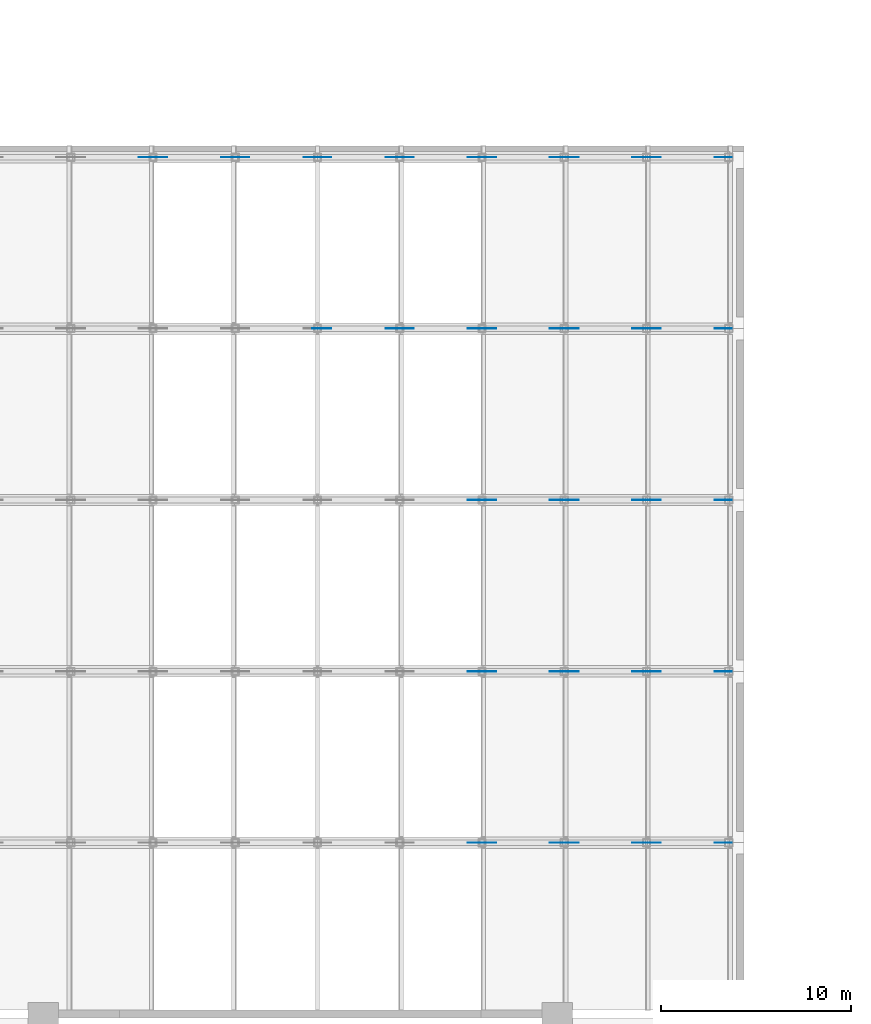
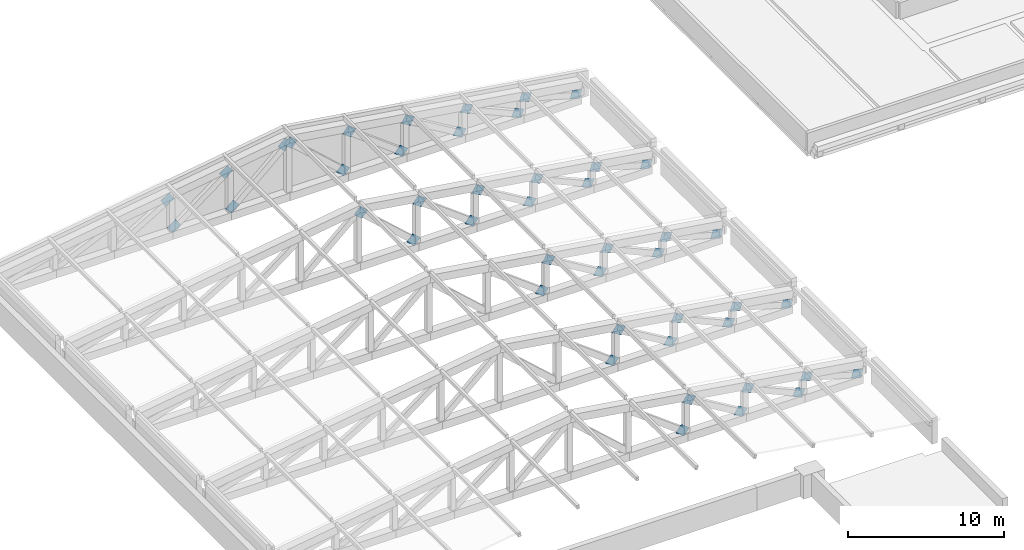
# One storey, part 19 of 32: 46 discrete accessories.
"""IFC4 building model written with IfcOpenShell, lengths in metres."""

from ifc_helpers import new_model, si_unit, direction, frame, origin, place, context, subcontext, project, spatial, polyline, outline, extrude, material, layer, layer_set, type_object, element, save


model = new_model("IFC4")

# Units and contexts
model_context = context("Model", 3, precision=1e-05, world=origin(), true_north=direction((0.0, 1.0)))
body_context = subcontext(model_context, "Body", "Model", "MODEL_VIEW")
ifc_project = project(units=[si_unit("LENGTHUNIT", "METRE"), si_unit("AREAUNIT", "SQUARE_METRE"), si_unit("VOLUMEUNIT", "CUBIC_METRE"), si_unit("PLANEANGLEUNIT", "RADIAN"), si_unit("MASSUNIT", "GRAM", prefix="KILO")], contexts=[model_context])

# Site, building, storey
site_placement = place(None, origin())
site = spatial("IfcSite", under=ifc_project, at=site_placement, CompositionType="ELEMENT")
building_placement = place(site_placement, origin())
building = spatial("IfcBuilding", under=site, at=building_placement, Name="Aravalli Gate Trade Fair Centre", CompositionType="ELEMENT")
storey_placement = place(building_placement, frame((0.0, 0.0, 23.39990234375)))
storey = spatial("IfcBuildingStorey", under=building, at=storey_placement, Name="ROOF LEVEL 1", CompositionType="ELEMENT", Elevation=23.39990234375)

# Discrete accessories
ifc_material = material(Name="Steel E350", Category="steel")
ifc_layer = layer(ifc_material, 0.01611328125)
ifc_layer_set = layer_set([ifc_layer], Name="Steel E350")
discrete_accessory_type = type_object("IfcDiscreteAccessoryType", Name="Gusset plate 675 x 675 x 16", PredefinedType="USERDEFINED", material=ifc_layer_set)
discrete_accessory_1_placement = place(storey_placement, frame((136.29736328125, 72.991943359375, 0.734619140625), z_axis=(0.0, -1.0, 0.0), x_axis=(0.800349107724, 0.0, -0.599534240695)))
element("IfcDiscreteAccessory", 1, at=discrete_accessory_1_placement, inside=storey, type_object=discrete_accessory_type, Name="Gusset plate Roof truss 73 diagonal 7 end A", ObjectType="GUSSET PLATE", PredefinedType="USERDEFINED", context=body_context, shape_type="SweptSolid", body=[
    extrude(outline(polyline([(0.0, 0.0), (0.7549805966467078, 0.0), (0.7550317553254685, 0.6750977408361967), (5.115867876076541e-05, 0.6750977408361967), (0.0, 0.0)])), origin(), (0.0, 0.0, -1.0), 0.01611328125),
])
discrete_accessory_2_placement = place(storey_placement, frame((140.607421875, 72.991943359375, 0.656005859375), z_axis=(0.0, -1.0, 0.0), x_axis=(0.858859436743, 0.0, -0.512211350829)))
element("IfcDiscreteAccessory", 2, at=discrete_accessory_2_placement, inside=storey, type_object=discrete_accessory_type, Name="Gusset plate Roof truss 73 diagonal 8 end A", ObjectType="GUSSET PLATE", PredefinedType="USERDEFINED", context=body_context, shape_type="SweptSolid", body=[
    extrude(outline(polyline([(0.0, 0.0), (0.7549983993412255, 0.0), (0.7550362937652628, 0.674859271386952), (3.7894424037399066e-05, 0.674859271386952), (0.0, 0.0)])), origin(), (0.0, 0.0, -1.0), 0.01611328125),
])
discrete_accessory_3_placement = place(storey_placement, frame((137.44677734375, 73.008056640625, 2.541015625), z_axis=(0.0, 1.0, 0.0), x_axis=(-0.858859436743, 0.0, 0.512211350829)))
element("IfcDiscreteAccessory", 3, at=discrete_accessory_3_placement, inside=storey, type_object=discrete_accessory_type, Name="Gusset plate Roof truss 73 diagonal 8 end B", ObjectType="GUSSET PLATE", PredefinedType="USERDEFINED", context=body_context, shape_type="SweptSolid", body=[
    extrude(outline(polyline([(0.0, 0.0), (0.7549983993412255, 0.0), (0.7547508224375146, 0.6749843229862753), (-3.7894424037399066e-05, 0.674859271386952), (0.0, 0.0)])), origin(), (0.0, 0.0, -1.0), 0.01611328125),
])
discrete_accessory_4_placement = place(storey_placement, frame((144.926025390625, 72.991943359375, 0.565185546875), z_axis=(0.0, -1.0, 0.0), x_axis=(0.914224481419, 0.0, -0.405208091694)))
element("IfcDiscreteAccessory", 4, at=discrete_accessory_4_placement, inside=storey, type_object=discrete_accessory_type, Name="Gusset plate Roof truss 73 diagonal 9 end A", ObjectType="GUSSET PLATE", PredefinedType="USERDEFINED", context=body_context, shape_type="SweptSolid", body=[
    extrude(outline(polyline([(0.0, 0.0), (0.7549410028964576, 5.551115123125783e-17), (0.755157017535323, 0.6749227381187997), (0.0003402862183883304, 0.6752448652118448), (0.0, 0.0)])), origin(), (0.0, 0.0, -1.0), 0.01611328125),
])
discrete_accessory_5_placement = place(storey_placement, frame((141.840087890625, 73.008056640625, 1.934326171875), z_axis=(0.0, 1.0, 0.0), x_axis=(-0.914104656851, 0.0, 0.405478330276)))
element("IfcDiscreteAccessory", 5, at=discrete_accessory_5_placement, inside=storey, type_object=discrete_accessory_type, Name="Gusset plate Roof truss 73 diagonal 9 end B", ObjectType="GUSSET PLATE", PredefinedType="USERDEFINED", context=body_context, shape_type="SweptSolid", body=[
    extrude(outline(polyline([(0.0, 0.0), (0.7550399636434889, 0.0), (0.7550234646879928, 0.674922772485776), (-0.00014067530475764256, 0.6752449363009927), (0.0, 0.0)])), origin(), (0.0, 0.0, -1.0), 0.01611328125),
])
discrete_accessory_6_placement = place(storey_placement, frame((149.257568359375, 72.991943359375, 0.464599609375), z_axis=(0.0, -1.0, 0.0), x_axis=(0.960195296604, 0.0, -0.27932954083)))
element("IfcDiscreteAccessory", 6, at=discrete_accessory_6_placement, inside=storey, type_object=discrete_accessory_type, Name="Gusset plate Roof truss 73 diagonal 10 end A", ObjectType="GUSSET PLATE", PredefinedType="USERDEFINED", context=body_context, shape_type="SweptSolid", body=[
    extrude(outline(polyline([(0.0, 0.0), (0.755156434128382, 0.0), (0.7550711895175329, 0.6750392866219126), (-8.52446108490501e-05, 0.6750392866219127), (0.0, 0.0)])), origin(), (0.0, 0.0, -1.0), 0.01611328125),
])
discrete_accessory_7_placement = place(storey_placement, frame((146.23388671875, 73.008056640625, 1.343994140625), z_axis=(0.0, 1.0, 0.0), x_axis=(-0.960195296604, 0.0, 0.27932954083)))
element("IfcDiscreteAccessory", 7, at=discrete_accessory_7_placement, inside=storey, type_object=discrete_accessory_type, Name="Gusset plate Roof truss 73 diagonal 10 end B", ObjectType="GUSSET PLATE", PredefinedType="USERDEFINED", context=body_context, shape_type="SweptSolid", body=[
    extrude(outline(polyline([(0.0, 0.0), (0.755156434128382, 0.0), (0.7549390603707169, 0.6748730596307569), (8.52446108490501e-05, 0.6750392866219127), (0.0, 0.0)])), origin(), (0.0, 0.0, -1.0), 0.01611328125),
])
discrete_accessory_8_placement = place(storey_placement, frame((136.29736328125, 81.991943359375, 0.734619140625), z_axis=(0.0, -1.0, 0.0), x_axis=(0.800349107724, 0.0, -0.599534240695)))
element("IfcDiscreteAccessory", 8, at=discrete_accessory_8_placement, inside=storey, type_object=discrete_accessory_type, Name="Gusset plate Roof truss 82 diagonal 7 end A", ObjectType="GUSSET PLATE", PredefinedType="USERDEFINED", context=body_context, shape_type="SweptSolid", body=[
    extrude(outline(polyline([(0.0, 0.0), (0.7549805966467078, 0.0), (0.7550317553254685, 0.6750977408361967), (5.115867876076541e-05, 0.6750977408361967), (0.0, 0.0)])), origin(), (0.0, 0.0, -1.0), 0.01611328125),
])
discrete_accessory_9_placement = place(storey_placement, frame((140.607421875, 81.991943359375, 0.656005859375), z_axis=(0.0, -1.0, 0.0), x_axis=(0.858859436743, 0.0, -0.512211350829)))
element("IfcDiscreteAccessory", 9, at=discrete_accessory_9_placement, inside=storey, type_object=discrete_accessory_type, Name="Gusset plate Roof truss 82 diagonal 8 end A", ObjectType="GUSSET PLATE", PredefinedType="USERDEFINED", context=body_context, shape_type="SweptSolid", body=[
    extrude(outline(polyline([(0.0, 0.0), (0.7549983993412255, 0.0), (0.7550362937652628, 0.674859271386952), (3.7894424037399066e-05, 0.674859271386952), (0.0, 0.0)])), origin(), (0.0, 0.0, -1.0), 0.01611328125),
])
discrete_accessory_10_placement = place(storey_placement, frame((137.44677734375, 82.008056640625, 2.541015625), z_axis=(0.0, 1.0, 0.0), x_axis=(-0.858859436743, 0.0, 0.512211350829)))
element("IfcDiscreteAccessory", 10, at=discrete_accessory_10_placement, inside=storey, type_object=discrete_accessory_type, Name="Gusset plate Roof truss 82 diagonal 8 end B", ObjectType="GUSSET PLATE", PredefinedType="USERDEFINED", context=body_context, shape_type="SweptSolid", body=[
    extrude(outline(polyline([(0.0, 0.0), (0.7549983993412255, 0.0), (0.7547508224375146, 0.6749843229862753), (-3.7894424037399066e-05, 0.674859271386952), (0.0, 0.0)])), origin(), (0.0, 0.0, -1.0), 0.01611328125),
])
discrete_accessory_11_placement = place(storey_placement, frame((144.926025390625, 81.991943359375, 0.565185546875), z_axis=(0.0, -1.0, 0.0), x_axis=(0.914224481419, 0.0, -0.405208091694)))
element("IfcDiscreteAccessory", 11, at=discrete_accessory_11_placement, inside=storey, type_object=discrete_accessory_type, Name="Gusset plate Roof truss 82 diagonal 9 end A", ObjectType="GUSSET PLATE", PredefinedType="USERDEFINED", context=body_context, shape_type="SweptSolid", body=[
    extrude(outline(polyline([(0.0, 0.0), (0.7549410028964576, 5.551115123125783e-17), (0.755157017535323, 0.6749227381187997), (0.0003402862183883304, 0.6752448652118448), (0.0, 0.0)])), origin(), (0.0, 0.0, -1.0), 0.01611328125),
])
discrete_accessory_12_placement = place(storey_placement, frame((141.840087890625, 82.008056640625, 1.934326171875), z_axis=(0.0, 1.0, 0.0), x_axis=(-0.914104656851, 0.0, 0.405478330276)))
element("IfcDiscreteAccessory", 12, at=discrete_accessory_12_placement, inside=storey, type_object=discrete_accessory_type, Name="Gusset plate Roof truss 82 diagonal 9 end B", ObjectType="GUSSET PLATE", PredefinedType="USERDEFINED", context=body_context, shape_type="SweptSolid", body=[
    extrude(outline(polyline([(0.0, 0.0), (0.7550399636434889, 0.0), (0.7550234646879928, 0.674922772485776), (-0.00014067530475764256, 0.6752449363009927), (0.0, 0.0)])), origin(), (0.0, 0.0, -1.0), 0.01611328125),
])
discrete_accessory_13_placement = place(storey_placement, frame((149.257568359375, 81.991943359375, 0.464599609375), z_axis=(0.0, -1.0, 0.0), x_axis=(0.960195296604, 0.0, -0.27932954083)))
element("IfcDiscreteAccessory", 13, at=discrete_accessory_13_placement, inside=storey, type_object=discrete_accessory_type, Name="Gusset plate Roof truss 82 diagonal 10 end A", ObjectType="GUSSET PLATE", PredefinedType="USERDEFINED", context=body_context, shape_type="SweptSolid", body=[
    extrude(outline(polyline([(0.0, 0.0), (0.755156434128382, 0.0), (0.7550711895175329, 0.6750392866219126), (-8.52446108490501e-05, 0.6750392866219127), (0.0, 0.0)])), origin(), (0.0, 0.0, -1.0), 0.01611328125),
])
discrete_accessory_14_placement = place(storey_placement, frame((146.23388671875, 82.008056640625, 1.343994140625), z_axis=(0.0, 1.0, 0.0), x_axis=(-0.960195296604, 0.0, 0.27932954083)))
element("IfcDiscreteAccessory", 14, at=discrete_accessory_14_placement, inside=storey, type_object=discrete_accessory_type, Name="Gusset plate Roof truss 82 diagonal 10 end B", ObjectType="GUSSET PLATE", PredefinedType="USERDEFINED", context=body_context, shape_type="SweptSolid", body=[
    extrude(outline(polyline([(0.0, 0.0), (0.755156434128382, 0.0), (0.7549390603707169, 0.6748730596307569), (8.52446108490501e-05, 0.6750392866219127), (0.0, 0.0)])), origin(), (0.0, 0.0, -1.0), 0.01611328125),
])
discrete_accessory_15_placement = place(storey_placement, frame((136.29736328125, 90.991943359375, 0.734619140625), z_axis=(0.0, -1.0, 0.0), x_axis=(0.800349107724, 0.0, -0.599534240695)))
element("IfcDiscreteAccessory", 15, at=discrete_accessory_15_placement, inside=storey, type_object=discrete_accessory_type, Name="Gusset plate Roof truss 91 diagonal 7 end A", ObjectType="GUSSET PLATE", PredefinedType="USERDEFINED", context=body_context, shape_type="SweptSolid", body=[
    extrude(outline(polyline([(0.0, 0.0), (0.7549805966467078, 0.0), (0.7550317553254685, 0.6750977408361967), (5.115867876076541e-05, 0.6750977408361967), (0.0, 0.0)])), origin(), (0.0, 0.0, -1.0), 0.01611328125),
])
discrete_accessory_16_placement = place(storey_placement, frame((140.607421875, 90.991943359375, 0.656005859375), z_axis=(0.0, -1.0, 0.0), x_axis=(0.858859436743, 0.0, -0.512211350829)))
element("IfcDiscreteAccessory", 16, at=discrete_accessory_16_placement, inside=storey, type_object=discrete_accessory_type, Name="Gusset plate Roof truss 91 diagonal 8 end A", ObjectType="GUSSET PLATE", PredefinedType="USERDEFINED", context=body_context, shape_type="SweptSolid", body=[
    extrude(outline(polyline([(0.0, 0.0), (0.7549983993412255, 0.0), (0.7550362937652628, 0.674859271386952), (3.7894424037399066e-05, 0.674859271386952), (0.0, 0.0)])), origin(), (0.0, 0.0, -1.0), 0.01611328125),
])
discrete_accessory_17_placement = place(storey_placement, frame((137.44677734375, 91.008056640625, 2.541015625), z_axis=(0.0, 1.0, 0.0), x_axis=(-0.858859436743, 0.0, 0.512211350829)))
element("IfcDiscreteAccessory", 17, at=discrete_accessory_17_placement, inside=storey, type_object=discrete_accessory_type, Name="Gusset plate Roof truss 91 diagonal 8 end B", ObjectType="GUSSET PLATE", PredefinedType="USERDEFINED", context=body_context, shape_type="SweptSolid", body=[
    extrude(outline(polyline([(0.0, 0.0), (0.7549983993412255, 0.0), (0.7547508224375146, 0.6749843229862753), (-3.7894424037399066e-05, 0.674859271386952), (0.0, 0.0)])), origin(), (0.0, 0.0, -1.0), 0.01611328125),
])
discrete_accessory_18_placement = place(storey_placement, frame((144.926025390625, 90.991943359375, 0.565185546875), z_axis=(0.0, -1.0, 0.0), x_axis=(0.914224481419, 0.0, -0.405208091694)))
element("IfcDiscreteAccessory", 18, at=discrete_accessory_18_placement, inside=storey, type_object=discrete_accessory_type, Name="Gusset plate Roof truss 91 diagonal 9 end A", ObjectType="GUSSET PLATE", PredefinedType="USERDEFINED", context=body_context, shape_type="SweptSolid", body=[
    extrude(outline(polyline([(0.0, 0.0), (0.7549410028964576, 5.551115123125783e-17), (0.755157017535323, 0.6749227381187997), (0.0003402862183883304, 0.6752448652118448), (0.0, 0.0)])), origin(), (0.0, 0.0, -1.0), 0.01611328125),
])
discrete_accessory_19_placement = place(storey_placement, frame((141.840087890625, 91.008056640625, 1.934326171875), z_axis=(0.0, 1.0, 0.0), x_axis=(-0.914104656851, 0.0, 0.405478330276)))
element("IfcDiscreteAccessory", 19, at=discrete_accessory_19_placement, inside=storey, type_object=discrete_accessory_type, Name="Gusset plate Roof truss 91 diagonal 9 end B", ObjectType="GUSSET PLATE", PredefinedType="USERDEFINED", context=body_context, shape_type="SweptSolid", body=[
    extrude(outline(polyline([(0.0, 0.0), (0.7550399636434889, 0.0), (0.7550234646879928, 0.674922772485776), (-0.00014067530475764256, 0.6752449363009927), (0.0, 0.0)])), origin(), (0.0, 0.0, -1.0), 0.01611328125),
])
discrete_accessory_20_placement = place(storey_placement, frame((149.257568359375, 90.991943359375, 0.464599609375), z_axis=(0.0, -1.0, 0.0), x_axis=(0.960195296604, 0.0, -0.27932954083)))
element("IfcDiscreteAccessory", 20, at=discrete_accessory_20_placement, inside=storey, type_object=discrete_accessory_type, Name="Gusset plate Roof truss 91 diagonal 10 end A", ObjectType="GUSSET PLATE", PredefinedType="USERDEFINED", context=body_context, shape_type="SweptSolid", body=[
    extrude(outline(polyline([(0.0, 0.0), (0.755156434128382, 0.0), (0.7550711895175329, 0.6750392866219126), (-8.52446108490501e-05, 0.6750392866219127), (0.0, 0.0)])), origin(), (0.0, 0.0, -1.0), 0.01611328125),
])
discrete_accessory_21_placement = place(storey_placement, frame((146.23388671875, 91.008056640625, 1.343994140625), z_axis=(0.0, 1.0, 0.0), x_axis=(-0.960195296604, 0.0, 0.27932954083)))
element("IfcDiscreteAccessory", 21, at=discrete_accessory_21_placement, inside=storey, type_object=discrete_accessory_type, Name="Gusset plate Roof truss 91 diagonal 10 end B", ObjectType="GUSSET PLATE", PredefinedType="USERDEFINED", context=body_context, shape_type="SweptSolid", body=[
    extrude(outline(polyline([(0.0, 0.0), (0.755156434128382, 0.0), (0.7549390603707169, 0.6748730596307569), (8.52446108490501e-05, 0.6750392866219127), (0.0, 0.0)])), origin(), (0.0, 0.0, -1.0), 0.01611328125),
])
discrete_accessory_22_placement = place(storey_placement, frame((131.99267578125, 99.991943359375, 0.801513671875), z_axis=(0.0, -1.0, 0.0), x_axis=(0.742698988636, 0.0, -0.669625426846)))
element("IfcDiscreteAccessory", 22, at=discrete_accessory_22_placement, inside=storey, type_object=discrete_accessory_type, Name="Gusset plate Roof truss 100 diagonal 6 end A", ObjectType="GUSSET PLATE", PredefinedType="USERDEFINED", context=body_context, shape_type="SweptSolid", body=[
    extrude(outline(polyline([(0.0, 0.0), (0.7550717372791841, 0.0), (0.7552517972496745, 0.6750261997531783), (0.00018005997049042044, 0.6750261997531783), (0.0, 0.0)])), origin(), (0.0, 0.0, -1.0), 0.01611328125),
])
discrete_accessory_23_placement = place(storey_placement, frame((128.67529296875, 100.008056640625, 3.7939453125), z_axis=(0.0, 1.0, 0.0), x_axis=(-0.742698988636, 0.0, 0.669625426846)))
element("IfcDiscreteAccessory", 23, at=discrete_accessory_23_placement, inside=storey, type_object=discrete_accessory_type, Name="Gusset plate Roof truss 100 diagonal 6 end B", ObjectType="GUSSET PLATE", PredefinedType="USERDEFINED", context=body_context, shape_type="SweptSolid", body=[
    extrude(outline(polyline([(0.0, 0.0), (0.7550717372791841, 0.0), (0.7548916773086937, 0.6750261997531783), (1.2630247820388796e-06, 0.6748627169829523), (0.0, 0.0)])), origin(), (0.0, 0.0, -1.0), 0.01611328125),
])
discrete_accessory_24_placement = place(storey_placement, frame((136.29736328125, 99.991943359375, 0.734619140625), z_axis=(0.0, -1.0, 0.0), x_axis=(0.800349107724, 0.0, -0.599534240695)))
element("IfcDiscreteAccessory", 24, at=discrete_accessory_24_placement, inside=storey, type_object=discrete_accessory_type, Name="Gusset plate Roof truss 100 diagonal 7 end A", ObjectType="GUSSET PLATE", PredefinedType="USERDEFINED", context=body_context, shape_type="SweptSolid", body=[
    extrude(outline(polyline([(0.0, 0.0), (0.7549805966467078, 0.0), (0.7550317553254685, 0.6750977408361967), (5.115867876076541e-05, 0.6750977408361967), (0.0, 0.0)])), origin(), (0.0, 0.0, -1.0), 0.01611328125),
])
discrete_accessory_25_placement = place(storey_placement, frame((133.057861328125, 100.008056640625, 3.161865234375), z_axis=(0.0, 1.0, 0.0), x_axis=(-0.800349107724, 0.0, 0.599534240695)))
element("IfcDiscreteAccessory", 25, at=discrete_accessory_25_placement, inside=storey, type_object=discrete_accessory_type, Name="Gusset plate Roof truss 100 diagonal 7 end B", ObjectType="GUSSET PLATE", PredefinedType="USERDEFINED", context=body_context, shape_type="SweptSolid", body=[
    extrude(outline(polyline([(0.0, 0.0), (0.7549805966467078, 0.0), (0.754929437967947, 0.6750977408361967), (-0.00019752934299294145, 0.6749023431048188), (0.0, 0.0)])), origin(), (0.0, 0.0, -1.0), 0.01611328125),
])
discrete_accessory_26_placement = place(storey_placement, frame((140.607421875, 99.991943359375, 0.656005859375), z_axis=(0.0, -1.0, 0.0), x_axis=(0.858859436743, 0.0, -0.512211350829)))
element("IfcDiscreteAccessory", 26, at=discrete_accessory_26_placement, inside=storey, type_object=discrete_accessory_type, Name="Gusset plate Roof truss 100 diagonal 8 end A", ObjectType="GUSSET PLATE", PredefinedType="USERDEFINED", context=body_context, shape_type="SweptSolid", body=[
    extrude(outline(polyline([(0.0, 0.0), (0.7549983993412255, 0.0), (0.7550362937652628, 0.674859271386952), (3.7894424037399066e-05, 0.674859271386952), (0.0, 0.0)])), origin(), (0.0, 0.0, -1.0), 0.01611328125),
])
discrete_accessory_27_placement = place(storey_placement, frame((137.44677734375, 100.008056640625, 2.541015625), z_axis=(0.0, 1.0, 0.0), x_axis=(-0.858859436743, 0.0, 0.512211350829)))
element("IfcDiscreteAccessory", 27, at=discrete_accessory_27_placement, inside=storey, type_object=discrete_accessory_type, Name="Gusset plate Roof truss 100 diagonal 8 end B", ObjectType="GUSSET PLATE", PredefinedType="USERDEFINED", context=body_context, shape_type="SweptSolid", body=[
    extrude(outline(polyline([(0.0, 0.0), (0.7549983993412255, 0.0), (0.7547508224375146, 0.6749843229862753), (-3.7894424037399066e-05, 0.674859271386952), (0.0, 0.0)])), origin(), (0.0, 0.0, -1.0), 0.01611328125),
])
discrete_accessory_28_placement = place(storey_placement, frame((144.926025390625, 99.991943359375, 0.565185546875), z_axis=(0.0, -1.0, 0.0), x_axis=(0.914224481419, 0.0, -0.405208091694)))
element("IfcDiscreteAccessory", 28, at=discrete_accessory_28_placement, inside=storey, type_object=discrete_accessory_type, Name="Gusset plate Roof truss 100 diagonal 9 end A", ObjectType="GUSSET PLATE", PredefinedType="USERDEFINED", context=body_context, shape_type="SweptSolid", body=[
    extrude(outline(polyline([(0.0, 0.0), (0.7549410028964576, 5.551115123125783e-17), (0.755157017535323, 0.6749227381187997), (0.0003402862183883304, 0.6752448652118448), (0.0, 0.0)])), origin(), (0.0, 0.0, -1.0), 0.01611328125),
])
discrete_accessory_29_placement = place(storey_placement, frame((141.840087890625, 100.008056640625, 1.934326171875), z_axis=(0.0, 1.0, 0.0), x_axis=(-0.914104656851, 0.0, 0.405478330276)))
element("IfcDiscreteAccessory", 29, at=discrete_accessory_29_placement, inside=storey, type_object=discrete_accessory_type, Name="Gusset plate Roof truss 100 diagonal 9 end B", ObjectType="GUSSET PLATE", PredefinedType="USERDEFINED", context=body_context, shape_type="SweptSolid", body=[
    extrude(outline(polyline([(0.0, 0.0), (0.7550399636434889, 0.0), (0.7550234646879928, 0.674922772485776), (-0.00014067530475764256, 0.6752449363009927), (0.0, 0.0)])), origin(), (0.0, 0.0, -1.0), 0.01611328125),
])
discrete_accessory_30_placement = place(storey_placement, frame((149.257568359375, 99.991943359375, 0.464599609375), z_axis=(0.0, -1.0, 0.0), x_axis=(0.960195296604, 0.0, -0.27932954083)))
element("IfcDiscreteAccessory", 30, at=discrete_accessory_30_placement, inside=storey, type_object=discrete_accessory_type, Name="Gusset plate Roof truss 100 diagonal 10 end A", ObjectType="GUSSET PLATE", PredefinedType="USERDEFINED", context=body_context, shape_type="SweptSolid", body=[
    extrude(outline(polyline([(0.0, 0.0), (0.755156434128382, 0.0), (0.7550711895175329, 0.6750392866219126), (-8.52446108490501e-05, 0.6750392866219127), (0.0, 0.0)])), origin(), (0.0, 0.0, -1.0), 0.01611328125),
])
discrete_accessory_31_placement = place(storey_placement, frame((146.23388671875, 100.008056640625, 1.343994140625), z_axis=(0.0, 1.0, 0.0), x_axis=(-0.960195296604, 0.0, 0.27932954083)))
element("IfcDiscreteAccessory", 31, at=discrete_accessory_31_placement, inside=storey, type_object=discrete_accessory_type, Name="Gusset plate Roof truss 100 diagonal 10 end B", ObjectType="GUSSET PLATE", PredefinedType="USERDEFINED", context=body_context, shape_type="SweptSolid", body=[
    extrude(outline(polyline([(0.0, 0.0), (0.755156434128382, 0.0), (0.7549390603707169, 0.6748730596307569), (8.52446108490501e-05, 0.6750392866219127), (0.0, 0.0)])), origin(), (0.0, 0.0, -1.0), 0.01611328125),
])
discrete_accessory_32_placement = place(storey_placement, frame((119.353271484375, 108.991943359375, 2.541015625), z_axis=(0.0, -1.0, 0.0), x_axis=(0.858859436743, 0.0, 0.512211350829)))
element("IfcDiscreteAccessory", 32, at=discrete_accessory_32_placement, inside=storey, type_object=discrete_accessory_type, Name="Gusset plate Roof truss 109 diagonal 3 end B", ObjectType="GUSSET PLATE", PredefinedType="USERDEFINED", context=body_context, shape_type="SweptSolid", body=[
    extrude(outline(polyline([(0.0, 0.0), (0.7549983993412255, 0.0), (0.7547508224375146, 0.6749843229862753), (-0.0002475769037109665, 0.6749843229862754), (0.0, 0.0)])), origin(), (0.0, 0.0, -1.0), 0.01611328125),
])
discrete_accessory_33_placement = place(storey_placement, frame((120.097900390625, 108.991943359375, 1.27490234375), z_axis=(0.0, -1.0, 0.0), x_axis=(-0.800349107724, 0.0, -0.599534240695)))
element("IfcDiscreteAccessory", 33, at=discrete_accessory_33_placement, inside=storey, type_object=discrete_accessory_type, Name="Gusset plate Roof truss 109 diagonal 4 end A", ObjectType="GUSSET PLATE", PredefinedType="USERDEFINED", context=body_context, shape_type="SweptSolid", body=[
    extrude(outline(polyline([(0.0, 0.0), (0.7549805966467078, 0.0), (0.755124835699325, 0.6749513701719645), (-5.115867876076541e-05, 0.6750977408361967), (0.0, 0.0)])), origin(), (0.0, 0.0, -1.0), 0.01611328125),
])
discrete_accessory_34_placement = place(storey_placement, frame((123.7421875, 108.991943359375, 3.161865234375), z_axis=(0.0, -1.0, 0.0), x_axis=(0.800349107724, 0.0, 0.599534240695)))
element("IfcDiscreteAccessory", 34, at=discrete_accessory_34_placement, inside=storey, type_object=discrete_accessory_type, Name="Gusset plate Roof truss 109 diagonal 4 end B", ObjectType="GUSSET PLATE", PredefinedType="USERDEFINED", context=body_context, shape_type="SweptSolid", body=[
    extrude(outline(polyline([(0.0, 0.0), (0.7549805966467078, 0.0), (0.754929437967947, 0.6750977408361967), (-0.00019752934299294145, 0.6749023431048188), (0.0, 0.0)])), origin(), (0.0, 0.0, -1.0), 0.01611328125),
])
for number, where, z_axis, x_axis, name in (
    (35, (124.355224609375, 108.991943359375, 1.302734375), (0.0, -1.0, 0.0), (-0.742698988636, 0.0, -0.669625426846), "Gusset plate Roof truss 109 diagonal 5 end A"),
    (36, (128.124755859375, 108.991943359375, 3.7939453125), (0.0, -1.0, 0.0), (0.742698988636, 0.0, 0.669625426846), "Gusset plate Roof truss 109 diagonal 5 end B"),
):
    element("IfcDiscreteAccessory", number, at=place(storey_placement, frame(where, z_axis=z_axis, x_axis=x_axis)), inside=storey, type_object=discrete_accessory_type, Name=name, ObjectType="GUSSET PLATE", PredefinedType="USERDEFINED", context=body_context, shape_type="SweptSolid", body=[
        extrude(outline(polyline([(0.0, 0.0), (0.7550717372791841, 0.0), (0.7548916773086937, 0.6750261997531783), (-0.00018005997049042044, 0.6750261997531783), (0.0, 0.0)])), origin(), (0.0, 0.0, -1.0), 0.01611328125),
    ])
discrete_accessory_35_placement = place(storey_placement, frame((131.99267578125, 108.991943359375, 0.801513671875), z_axis=(0.0, -1.0, 0.0), x_axis=(0.742698988636, 0.0, -0.669625426846)))
element("IfcDiscreteAccessory", 37, at=discrete_accessory_35_placement, inside=storey, type_object=discrete_accessory_type, Name="Gusset plate Roof truss 109 diagonal 6 end A", ObjectType="GUSSET PLATE", PredefinedType="USERDEFINED", context=body_context, shape_type="SweptSolid", body=[
    extrude(outline(polyline([(0.0, 0.0), (0.7550717372791841, 0.0), (0.7552517972496745, 0.6750261997531783), (0.00018005997049042044, 0.6750261997531783), (0.0, 0.0)])), origin(), (0.0, 0.0, -1.0), 0.01611328125),
])
discrete_accessory_36_placement = place(storey_placement, frame((128.67529296875, 109.008056640625, 3.7939453125), z_axis=(0.0, 1.0, 0.0), x_axis=(-0.742698988636, 0.0, 0.669625426846)))
element("IfcDiscreteAccessory", 38, at=discrete_accessory_36_placement, inside=storey, type_object=discrete_accessory_type, Name="Gusset plate Roof truss 109 diagonal 6 end B", ObjectType="GUSSET PLATE", PredefinedType="USERDEFINED", context=body_context, shape_type="SweptSolid", body=[
    extrude(outline(polyline([(0.0, 0.0), (0.7550717372791841, 0.0), (0.7548916773086937, 0.6750261997531783), (1.2630247820388796e-06, 0.6748627169829523), (0.0, 0.0)])), origin(), (0.0, 0.0, -1.0), 0.01611328125),
])
discrete_accessory_37_placement = place(storey_placement, frame((136.29736328125, 108.991943359375, 0.734619140625), z_axis=(0.0, -1.0, 0.0), x_axis=(0.800349107724, 0.0, -0.599534240695)))
element("IfcDiscreteAccessory", 39, at=discrete_accessory_37_placement, inside=storey, type_object=discrete_accessory_type, Name="Gusset plate Roof truss 109 diagonal 7 end A", ObjectType="GUSSET PLATE", PredefinedType="USERDEFINED", context=body_context, shape_type="SweptSolid", body=[
    extrude(outline(polyline([(0.0, 0.0), (0.7549805966467078, 0.0), (0.7550317553254685, 0.6750977408361967), (5.115867876076541e-05, 0.6750977408361967), (0.0, 0.0)])), origin(), (0.0, 0.0, -1.0), 0.01611328125),
])
discrete_accessory_38_placement = place(storey_placement, frame((133.057861328125, 109.008056640625, 3.161865234375), z_axis=(0.0, 1.0, 0.0), x_axis=(-0.800349107724, 0.0, 0.599534240695)))
element("IfcDiscreteAccessory", 40, at=discrete_accessory_38_placement, inside=storey, type_object=discrete_accessory_type, Name="Gusset plate Roof truss 109 diagonal 7 end B", ObjectType="GUSSET PLATE", PredefinedType="USERDEFINED", context=body_context, shape_type="SweptSolid", body=[
    extrude(outline(polyline([(0.0, 0.0), (0.7549805966467078, 0.0), (0.754929437967947, 0.6750977408361967), (-0.00019752934299294145, 0.6749023431048188), (0.0, 0.0)])), origin(), (0.0, 0.0, -1.0), 0.01611328125),
])
discrete_accessory_39_placement = place(storey_placement, frame((140.607421875, 108.991943359375, 0.656005859375), z_axis=(0.0, -1.0, 0.0), x_axis=(0.858859436743, 0.0, -0.512211350829)))
element("IfcDiscreteAccessory", 41, at=discrete_accessory_39_placement, inside=storey, type_object=discrete_accessory_type, Name="Gusset plate Roof truss 109 diagonal 8 end A", ObjectType="GUSSET PLATE", PredefinedType="USERDEFINED", context=body_context, shape_type="SweptSolid", body=[
    extrude(outline(polyline([(0.0, 0.0), (0.7549983993412255, 0.0), (0.7550362937652628, 0.674859271386952), (3.7894424037399066e-05, 0.674859271386952), (0.0, 0.0)])), origin(), (0.0, 0.0, -1.0), 0.01611328125),
])
discrete_accessory_40_placement = place(storey_placement, frame((137.44677734375, 109.008056640625, 2.541015625), z_axis=(0.0, 1.0, 0.0), x_axis=(-0.858859436743, 0.0, 0.512211350829)))
element("IfcDiscreteAccessory", 42, at=discrete_accessory_40_placement, inside=storey, type_object=discrete_accessory_type, Name="Gusset plate Roof truss 109 diagonal 8 end B", ObjectType="GUSSET PLATE", PredefinedType="USERDEFINED", context=body_context, shape_type="SweptSolid", body=[
    extrude(outline(polyline([(0.0, 0.0), (0.7549983993412255, 0.0), (0.7547508224375146, 0.6749843229862753), (-3.7894424037399066e-05, 0.674859271386952), (0.0, 0.0)])), origin(), (0.0, 0.0, -1.0), 0.01611328125),
])
discrete_accessory_41_placement = place(storey_placement, frame((144.926025390625, 108.991943359375, 0.565185546875), z_axis=(0.0, -1.0, 0.0), x_axis=(0.914224481419, 0.0, -0.405208091694)))
element("IfcDiscreteAccessory", 43, at=discrete_accessory_41_placement, inside=storey, type_object=discrete_accessory_type, Name="Gusset plate Roof truss 109 diagonal 9 end A", ObjectType="GUSSET PLATE", PredefinedType="USERDEFINED", context=body_context, shape_type="SweptSolid", body=[
    extrude(outline(polyline([(0.0, 0.0), (0.7549410028964576, 5.551115123125783e-17), (0.755157017535323, 0.6749227381187997), (0.0003402862183883304, 0.6752448652118448), (0.0, 0.0)])), origin(), (0.0, 0.0, -1.0), 0.01611328125),
])
discrete_accessory_42_placement = place(storey_placement, frame((141.840087890625, 109.008056640625, 1.934326171875), z_axis=(0.0, 1.0, 0.0), x_axis=(-0.914104656851, 0.0, 0.405478330276)))
element("IfcDiscreteAccessory", 44, at=discrete_accessory_42_placement, inside=storey, type_object=discrete_accessory_type, Name="Gusset plate Roof truss 109 diagonal 9 end B", ObjectType="GUSSET PLATE", PredefinedType="USERDEFINED", context=body_context, shape_type="SweptSolid", body=[
    extrude(outline(polyline([(0.0, 0.0), (0.7550399636434889, 0.0), (0.7550234646879928, 0.674922772485776), (-0.00014067530475764256, 0.6752449363009927), (0.0, 0.0)])), origin(), (0.0, 0.0, -1.0), 0.01611328125),
])
discrete_accessory_43_placement = place(storey_placement, frame((149.257568359375, 108.991943359375, 0.464599609375), z_axis=(0.0, -1.0, 0.0), x_axis=(0.960195296604, 0.0, -0.27932954083)))
element("IfcDiscreteAccessory", 45, at=discrete_accessory_43_placement, inside=storey, type_object=discrete_accessory_type, Name="Gusset plate Roof truss 109 diagonal 10 end A", ObjectType="GUSSET PLATE", PredefinedType="USERDEFINED", context=body_context, shape_type="SweptSolid", body=[
    extrude(outline(polyline([(0.0, 0.0), (0.755156434128382, 0.0), (0.7550711895175329, 0.6750392866219126), (-8.52446108490501e-05, 0.6750392866219127), (0.0, 0.0)])), origin(), (0.0, 0.0, -1.0), 0.01611328125),
])
discrete_accessory_44_placement = place(storey_placement, frame((146.23388671875, 109.008056640625, 1.343994140625), z_axis=(0.0, 1.0, 0.0), x_axis=(-0.960195296604, 0.0, 0.27932954083)))
element("IfcDiscreteAccessory", 46, at=discrete_accessory_44_placement, inside=storey, type_object=discrete_accessory_type, Name="Gusset plate Roof truss 109 diagonal 10 end B", ObjectType="GUSSET PLATE", PredefinedType="USERDEFINED", context=body_context, shape_type="SweptSolid", body=[
    extrude(outline(polyline([(0.0, 0.0), (0.755156434128382, 0.0), (0.7549390603707169, 0.6748730596307569), (8.52446108490501e-05, 0.6750392866219127), (0.0, 0.0)])), origin(), (0.0, 0.0, -1.0), 0.01611328125),
])

save(model, "model.ifc")
